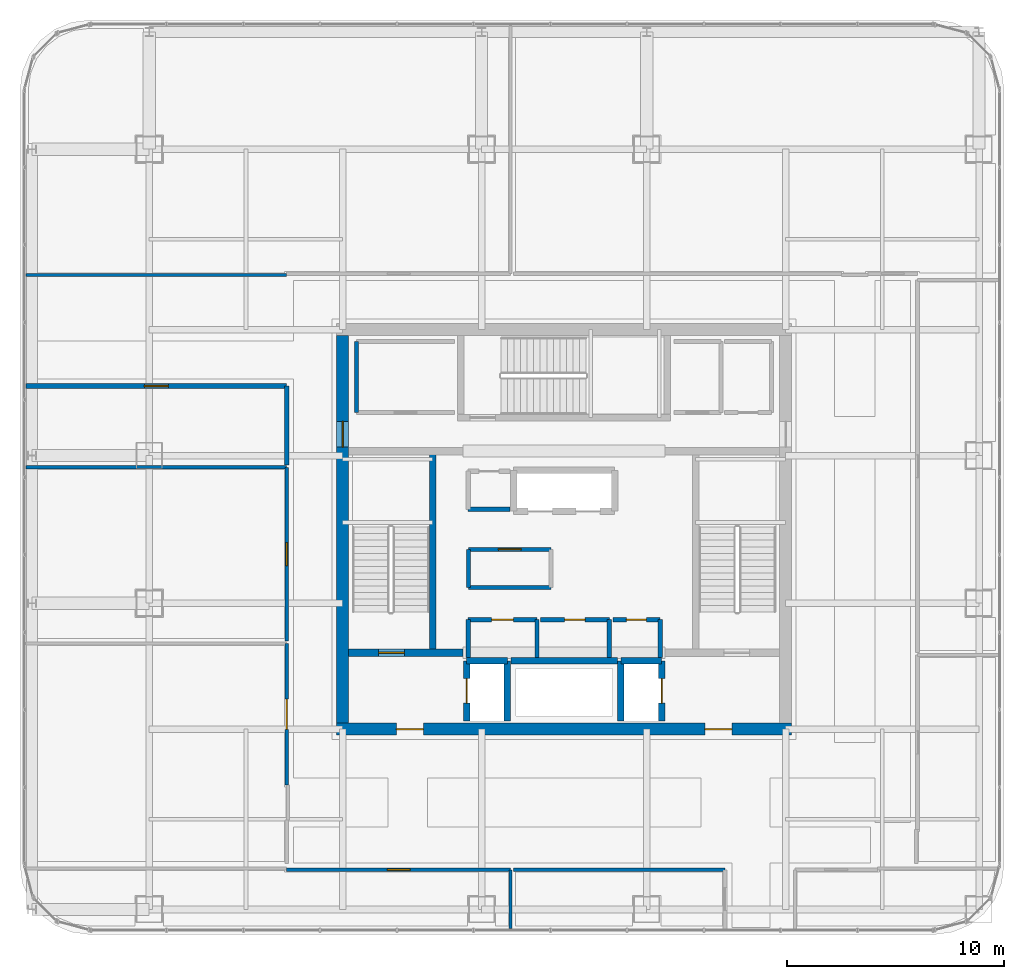
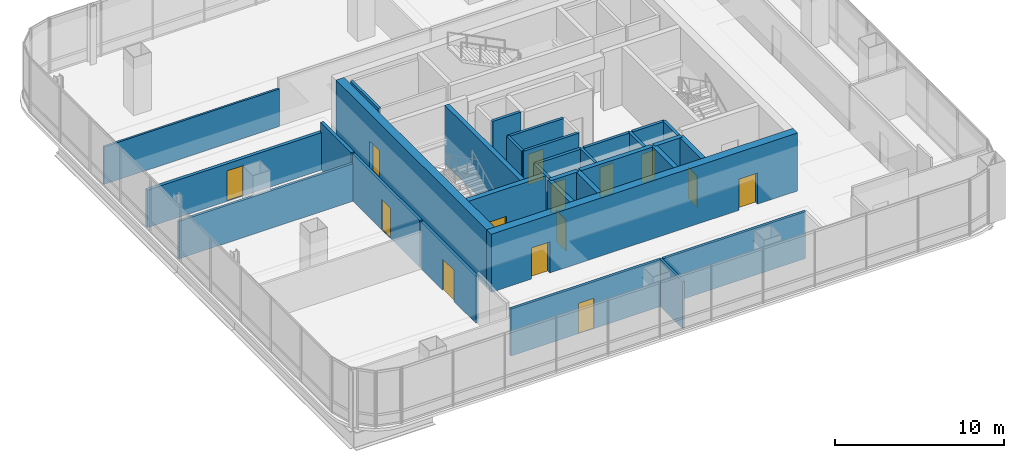
# One storey, part 34 of 41: 32 walls, 14 doors, 14 openings.
"""IFC4 building model written with IfcOpenShell, lengths in metres."""

from ifc_helpers import new_model, si_unit, direction, frame, frame_2d, origin, place, context, subcontext, project, spatial, rectangle, extrude, material, layer, layer_set, type_object, element, fill, save


model = new_model("IFC4")

# Units and contexts
model_context = context("Model", 3, precision=1e-05, world=origin(), true_north=direction((0.0, 1.0)))
body_context = subcontext(model_context, "Body", "Model", "MODEL_VIEW")
ifc_project = project(units=[si_unit("LENGTHUNIT", "METRE"), si_unit("AREAUNIT", "SQUARE_METRE"), si_unit("VOLUMEUNIT", "CUBIC_METRE"), si_unit("PLANEANGLEUNIT", "RADIAN"), si_unit("MASSUNIT", "GRAM", prefix="KILO")], contexts=[model_context])

# Site, building, storey
site_placement = place(None, origin())
site = spatial("IfcSite", under=ifc_project, at=site_placement, CompositionType="ELEMENT")
building_placement = place(site_placement, origin())
building = spatial("IfcBuilding", under=site, at=building_placement, Name="Punatoya Terracotta Tower", CompositionType="ELEMENT")
storey_placement = place(building_placement, frame((0.0, 0.0, 309.0)))
storey = spatial("IfcBuildingStorey", under=building, at=storey_placement, Name="L73", CompositionType="ELEMENT", Elevation=309.0)

# Wall, openings, doors
ifc_material_1 = material(Name="Concrete C50/60", Category="concrete")
ifc_layer_1 = layer(ifc_material_1, 0.550048828125)
ifc_layer_set_1 = layer_set([ifc_layer_1], Name="Concrete C50/60")
wall_type_1 = type_object("IfcWallType", Name="WL-COR-550", PredefinedType="SHEAR", material=ifc_layer_set_1)
wall_1_placement = place(storey_placement, frame((10.47509765625, -9.199951171875, 0.0), z_axis=(0.0, 0.0, 1.0), x_axis=(-1.0, 0.0, 0.0)))
wall_1 = element("IfcWall", 1, at=wall_1_placement, inside=storey, type_object=wall_type_1, Name="L73 Core Shear Wall S", PredefinedType="SHEAR", context=body_context, shape_type="SweptSolid", body=[
    extrude(rectangle(XDim=20.9501953125, YDim=0.550048828125, at=frame_2d((10.47509765625, 0.0))), origin(), (0.0, 0.0, 1.0), 4.199951171875),
])
opening_1_placement = place(wall_1_placement, frame((2.75, 0.0, 0.0)))
opening_1 = element("IfcOpeningElement", 2, at=opening_1_placement, cuts=wall_1, Name="Opening FD-L1", PredefinedType="OPENING", context=body_context, shape_type="SweptSolid", body=[
    extrude(rectangle(XDim=1.25, YDim=2.25, at=frame_2d((0.625, 1.125))), frame((0.0, 0.284912109375, 0.0), z_axis=(0.0, -1.0, 0.0), x_axis=(1.0, 0.0, 0.0)), (0.0, 0.0, 1.0), 0.570068359375),
])
opening_2_placement = place(wall_1_placement, frame((16.949951171875, 0.0, 0.0)))
opening_2 = element("IfcOpeningElement", 3, at=opening_2_placement, cuts=wall_1, Name="Opening FD-L1", PredefinedType="OPENING", context=body_context, shape_type="SweptSolid", body=[
    extrude(rectangle(XDim=1.25, YDim=2.25, at=frame_2d((0.625, 1.125))), frame((0.0, 0.284912109375, 0.0), z_axis=(0.0, -1.0, 0.0), x_axis=(1.0, 0.0, 0.0)), (0.0, 0.0, 1.0), 0.570068359375),
])
ifc_material_2 = material(Name="Galvanised Steel Smokeproof Fire Door", Category="steel")
door_type_1 = type_object("IfcDoorType", Name="DR-FFL-1250", OperationType="NOTDEFINED", PredefinedType="DOOR", material=ifc_material_2)
door_1_placement = place(opening_1_placement, origin())
door_1 = element("IfcDoor", 4, at=door_1_placement, inside=storey, type_object=door_type_1, Name="L73 East Firefighting Lobby Corridor Fire Door", OperationType="SINGLE_SWING_LEFT", OverallHeight=2.25, OverallWidth=1.25, PredefinedType="DOOR", context=body_context, shape_type="SweptSolid", body=[
    extrude(rectangle(XDim=1.25, YDim=2.25, at=frame_2d((0.625, 1.125))), frame((0.0, 0.02490234375, 0.0), z_axis=(0.0, -1.0, 0.0), x_axis=(1.0, 0.0, 0.0)), (0.0, 0.0, 1.0), 0.050048828125),
])
fill(opening_1, door_1)
door_2_placement = place(opening_2_placement, origin())
door_2 = element("IfcDoor", 5, at=door_2_placement, inside=storey, type_object=door_type_1, Name="L73 West Firefighting Lobby Corridor Fire Door", OperationType="SINGLE_SWING_RIGHT", OverallHeight=2.25, OverallWidth=1.25, PredefinedType="DOOR", context=body_context, shape_type="SweptSolid", body=[
    extrude(rectangle(XDim=1.25, YDim=2.25, at=frame_2d((0.625, 1.125))), frame((0.0, 0.02490234375, 0.0), z_axis=(0.0, -1.0, 0.0), x_axis=(1.0, 0.0, 0.0)), (0.0, 0.0, 1.0), 0.050048828125),
])
fill(opening_2, door_2)

# Wall, opening, door
wall_2_placement = place(storey_placement, frame((-10.199951171875, -8.925048828125, 0.0), z_axis=(0.0, 0.0, 1.0), x_axis=(0.0, 1.0, 0.0)))
wall_2 = element("IfcWall", 6, at=wall_2_placement, inside=storey, type_object=wall_type_1, Name="L73 Core Shear Wall W", PredefinedType="SHEAR", context=body_context, shape_type="SweptSolid", body=[
    extrude(rectangle(XDim=17.85009765625, YDim=0.550048828125, at=frame_2d((8.925048828125, 0.0))), origin(), (0.0, 0.0, 1.0), 4.199951171875),
])
opening_3_placement = place(wall_2_placement, frame((12.715087890625, 0.0, 0.0)))
opening_3 = element("IfcOpeningElement", 7, at=opening_3_placement, cuts=wall_2, Name="Opening SD-01", PredefinedType="OPENING", context=body_context, shape_type="SweptSolid", body=[
    extrude(rectangle(XDim=1.179931640625, YDim=2.199951171875, at=frame_2d((0.58984375, 1.10009765625))), frame((0.0, 0.284912109375, 0.0), z_axis=(0.0, -1.0, 0.0), x_axis=(1.0, 0.0, 0.0)), (0.0, 0.0, 1.0), 0.570068359375),
])
ifc_material_3 = material(Name="Galvanised Steel Pressurized Stair Fire Door", Category="steel")
door_type_2 = type_object("IfcDoorType", Name="DR-STR-1180", OperationType="NOTDEFINED", PredefinedType="DOOR", material=ifc_material_3)
door_3_placement = place(opening_3_placement, origin())
door_3 = element("IfcDoor", 8, at=door_3_placement, inside=storey, type_object=door_type_2, Name="L73 Central Lift Lobby West Fire Door", OperationType="SINGLE_SWING_LEFT", OverallHeight=2.199951171875, OverallWidth=1.179931640625, PredefinedType="DOOR", context=body_context, shape_type="SweptSolid", body=[
    extrude(rectangle(XDim=1.179931640625, YDim=2.199951171875, at=frame_2d((0.58984375, 1.10009765625))), frame((0.0, 0.02490234375, 0.0), z_axis=(0.0, -1.0, 0.0), x_axis=(1.0, 0.0, 0.0)), (0.0, 0.0, 1.0), 0.050048828125),
])
fill(opening_3, door_3)

ifc_material_4 = material(Name="Gypsum Fireboard + Steel Stud", Category="steel")
ifc_layer_2 = layer(ifc_material_4, 0.179931640625)
ifc_layer_set_2 = layer_set([ifc_layer_2], Name="Gypsum Fireboard + Steel Stud")
wall_type_2 = type_object("IfcWallType", Name="WL-CORR-180", PredefinedType="PARTITIONING", material=ifc_layer_set_2)
wall_3_placement = place(storey_placement, frame((-0.60009765625, -0.919921875, 0.0), z_axis=(0.0, 0.0, 1.0), x_axis=(-1.0, 0.0, 0.0)))
wall_3 = element("IfcWall", 9, at=wall_3_placement, inside=storey, type_object=wall_type_2, Name="L73 West Core Archive Office Partition 09", PredefinedType="PARTITIONING", context=body_context, shape_type="SweptSolid", body=[
    extrude(rectangle(XDim=3.7998046875, YDim=0.179931640625, at=frame_2d((1.89990234375, 0.0))), origin(), (0.0, 0.0, 1.0), 4.0),
])
opening_4_placement = place(wall_3_placement, frame((1.375, 0.0, 0.0)))
opening_4 = element("IfcOpeningElement", 10, at=opening_4_placement, cuts=wall_3, Name="Opening OD-01", PredefinedType="OPENING", context=body_context, shape_type="SweptSolid", body=[
    extrude(rectangle(XDim=1.050048828125, YDim=2.199951171875, at=frame_2d((0.52490234375, 1.10009765625))), frame((0.0, 0.099853515625, 0.0), z_axis=(0.0, -1.0, 0.0), x_axis=(1.0, 0.0, 0.0)), (0.0, 0.0, 1.0), 0.199951171875),
])
ifc_material_5 = material(Name="Bengal Teak Solid-Core Leaf")
door_type_3 = type_object("IfcDoorType", Name="DR-OFF-1050", OperationType="NOTDEFINED", PredefinedType="DOOR", material=ifc_material_5)
door_4_placement = place(opening_4_placement, origin())
door_4 = element("IfcDoor", 11, at=door_4_placement, inside=storey, type_object=door_type_3, Name="L73 West Archive Office Door", OperationType="SINGLE_SWING_RIGHT", OverallHeight=2.199951171875, OverallWidth=1.050048828125, PredefinedType="DOOR", context=body_context, shape_type="SweptSolid", body=[
    extrude(rectangle(XDim=1.050048828125, YDim=2.199951171875, at=frame_2d((0.52490234375, 1.10009765625))), frame((0.0, 0.02490234375, 0.0), z_axis=(0.0, -1.0, 0.0), x_axis=(1.0, 0.0, 0.0)), (0.0, 0.0, 1.0), 0.050048828125),
])
fill(opening_4, door_4)

# Walls
wall_4_placement = place(storey_placement, frame((-4.39990234375, -0.919921875, 0.0), z_axis=(0.0, 0.0, 1.0), x_axis=(0.0, -1.0, 0.0)))
element("IfcWall", 12, at=wall_4_placement, inside=storey, type_object=wall_type_2, Name="L73 West Core Archive Office Partition 10", PredefinedType="PARTITIONING", context=body_context, shape_type="SweptSolid", body=[
    extrude(rectangle(XDim=1.760009765625, YDim=0.179931640625, at=frame_2d((0.8798828125, 0.0))), origin(), (0.0, 0.0, 1.0), 4.0),
])
wall_5_placement = place(storey_placement, frame((-4.39990234375, -2.679931640625, 0.0), z_axis=(0.0, 0.0, 1.0), x_axis=(1.0, 0.0, 0.0)))
element("IfcWall", 13, at=wall_5_placement, inside=storey, type_object=wall_type_2, Name="L73 West Core Archive Office Partition 11", PredefinedType="PARTITIONING", context=body_context, shape_type="SweptSolid", body=[
    extrude(rectangle(XDim=3.7998046875, YDim=0.179931640625, at=frame_2d((1.89990234375, 0.0))), origin(), (0.0, 0.0, 1.0), 4.0),
])
wall_6_placement = place(storey_placement, frame((-9.550048828125, 8.64990234375, 0.0), z_axis=(0.0, 0.0, 1.0), x_axis=(0.0, -1.0, 0.0)))
element("IfcWall", 14, at=wall_6_placement, inside=storey, type_object=wall_type_2, Name="L73 West Core Records Office Partition 16", PredefinedType="PARTITIONING", context=body_context, shape_type="SweptSolid", body=[
    extrude(rectangle(XDim=3.27001953125, YDim=0.179931640625, at=frame_2d((1.635009765625, 0.0))), origin(), (0.0, 0.0, 1.0), 4.0),
])

# Wall, opening, door
wall_7_placement = place(storey_placement, frame((-12.77001953125, -15.669921875, 0.0), z_axis=(0.0, 0.0, 1.0), x_axis=(1.0, 0.0, 0.0)))
wall_7 = element("IfcWall", 15, at=wall_7_placement, inside=storey, type_object=wall_type_2, Name="L73 Open-Plan Computational Simulation Laboratory Partition 25", PredefinedType="PARTITIONING", context=body_context, shape_type="SweptSolid", body=[
    extrude(rectangle(XDim=10.31005859375, YDim=0.179931640625, at=frame_2d((5.155029296875, 0.0))), origin(), (0.0, 0.0, 1.0), 3.39404296875),
])
opening_5_placement = place(wall_7_placement, frame((4.6298828125, 0.0, 0.0)))
opening_5 = element("IfcOpeningElement", 16, at=opening_5_placement, cuts=wall_7, Name="Opening OD-01", PredefinedType="OPENING", context=body_context, shape_type="SweptSolid", body=[
    extrude(rectangle(XDim=1.050048828125, YDim=2.199951171875, at=frame_2d((0.52490234375, 1.10009765625))), frame((0.0, 0.099853515625, 0.0), z_axis=(0.0, -1.0, 0.0), x_axis=(1.0, 0.0, 0.0)), (0.0, 0.0, 1.0), 0.199951171875),
])
door_5_placement = place(opening_5_placement, origin())
door_5 = element("IfcDoor", 17, at=door_5_placement, inside=storey, type_object=door_type_3, Name="L73 Open-Plan Computational Simulation Laboratory Door", OperationType="SINGLE_SWING_LEFT", OverallHeight=2.199951171875, OverallWidth=1.050048828125, PredefinedType="DOOR", context=body_context, shape_type="SweptSolid", body=[
    extrude(rectangle(XDim=1.050048828125, YDim=2.199951171875, at=frame_2d((0.52490234375, 1.10009765625))), frame((0.0, 0.02490234375, 0.0), z_axis=(0.0, -1.0, 0.0), x_axis=(1.0, 0.0, 0.0)), (0.0, 0.0, 1.0), 0.050048828125),
])
fill(opening_5, door_5)

# Wall
wall_8_placement = place(storey_placement, frame((-2.340087890625, -15.669921875, 0.0), z_axis=(0.0, 0.0, 1.0), x_axis=(1.0, 0.0, 0.0)))
element("IfcWall", 18, at=wall_8_placement, inside=storey, type_object=wall_type_2, Name="L73 Open-Plan Cartography Reference Library Partition 28", PredefinedType="PARTITIONING", context=body_context, shape_type="SweptSolid", body=[
    extrude(rectangle(XDim=9.739990234375, YDim=0.179931640625, at=frame_2d((4.8701171875, 0.0))), origin(), (0.0, 0.0, 1.0), 3.39404296875),
])

# Wall, opening, door
wall_9_placement = place(storey_placement, frame((-12.77001953125, -5.25, 0.0), z_axis=(0.0, 0.0, 1.0), x_axis=(0.0, -1.0, 0.0)))
wall_9 = element("IfcWall", 19, at=wall_9_placement, inside=storey, type_object=wall_type_2, Name="L73 Technical Seminar Room Partition 36", PredefinedType="PARTITIONING", context=body_context, shape_type="SweptSolid", body=[
    extrude(rectangle(XDim=6.52001953125, YDim=0.179931640625, at=frame_2d((3.260009765625, 0.0))), origin(), (0.0, 0.0, 1.0), 3.39404296875),
])
opening_6_placement = place(wall_9_placement, frame((2.56005859375, 0.0, 0.0)))
opening_6 = element("IfcOpeningElement", 20, at=opening_6_placement, cuts=wall_9, Name="Opening BD-01", PredefinedType="OPENING", context=body_context, shape_type="SweptSolid", body=[
    extrude(rectangle(XDim=1.39990234375, YDim=2.25, at=frame_2d((0.699951171875, 1.125))), frame((0.0, 0.099853515625, 0.0), z_axis=(0.0, -1.0, 0.0), x_axis=(1.0, 0.0, 0.0)), (0.0, 0.0, 1.0), 0.199951171875),
])
ifc_material_6 = material(Name="Bengal Teak Acoustic Leaf")
door_type_4 = type_object("IfcDoorType", Name="DR-BRD-1400", OperationType="NOTDEFINED", PredefinedType="DOOR", material=ifc_material_6)
door_6_placement = place(opening_6_placement, origin())
door_6 = element("IfcDoor", 21, at=door_6_placement, inside=storey, type_object=door_type_4, Name="L73 Technical Seminar Room Door", OperationType="SINGLE_SWING_LEFT", OverallHeight=2.25, OverallWidth=1.39990234375, PredefinedType="DOOR", context=body_context, shape_type="SweptSolid", body=[
    extrude(rectangle(XDim=1.39990234375, YDim=2.25, at=frame_2d((0.699951171875, 1.125))), frame((0.0, 0.02490234375, 0.0), z_axis=(0.0, -1.0, 0.0), x_axis=(1.0, 0.0, 0.0)), (0.0, 0.0, 1.0), 0.050048828125),
])
fill(opening_6, door_6)

wall_10_placement = place(storey_placement, frame((-12.77001953125, 2.85009765625, 0.0), z_axis=(0.0, 0.0, 1.0), x_axis=(0.0, -1.0, 0.0)))
wall_10 = element("IfcWall", 22, at=wall_10_placement, inside=storey, type_object=wall_type_2, Name="L73 Open-Plan Laboratory Staff Pantry Partition 40", PredefinedType="PARTITIONING", context=body_context, shape_type="SweptSolid", body=[
    extrude(rectangle(XDim=7.97998046875, YDim=0.179931640625, at=frame_2d((3.989990234375, 0.0))), origin(), (0.0, 0.0, 1.0), 3.39404296875),
])
opening_7_placement = place(wall_10_placement, frame((3.465087890625, 0.0, 0.0)))
opening_7 = element("IfcOpeningElement", 23, at=opening_7_placement, cuts=wall_10, Name="Opening OD-01", PredefinedType="OPENING", context=body_context, shape_type="SweptSolid", body=[
    extrude(rectangle(XDim=1.050048828125, YDim=2.199951171875, at=frame_2d((0.52490234375, 1.10009765625))), frame((0.0, 0.099853515625, 0.0), z_axis=(0.0, -1.0, 0.0), x_axis=(1.0, 0.0, 0.0)), (0.0, 0.0, 1.0), 0.199951171875),
])
door_7_placement = place(opening_7_placement, origin())
door_7 = element("IfcDoor", 24, at=door_7_placement, inside=storey, type_object=door_type_3, Name="L73 Open-Plan Laboratory Staff Pantry Door", OperationType="SINGLE_SWING_RIGHT", OverallHeight=2.199951171875, OverallWidth=1.050048828125, PredefinedType="DOOR", context=body_context, shape_type="SweptSolid", body=[
    extrude(rectangle(XDim=1.050048828125, YDim=2.199951171875, at=frame_2d((0.52490234375, 1.10009765625))), frame((0.0, 0.02490234375, 0.0), z_axis=(0.0, -1.0, 0.0), x_axis=(1.0, 0.0, 0.0)), (0.0, 0.0, 1.0), 0.050048828125),
])
fill(opening_7, door_7)

ifc_material_7 = material(Name="Concrete C40/50", Category="concrete")
ifc_layer_3 = layer(ifc_material_7, 0.219970703125)
ifc_layer_set_3 = layer_set([ifc_layer_3], Name="Concrete C40/50")
wall_type_3 = type_object("IfcWallType", Name="WL-FIR-220", PredefinedType="SOLIDWALL", material=ifc_layer_set_3)
wall_11_placement = place(storey_placement, frame((-24.77001953125, 6.60009765625, 0.0), z_axis=(0.0, 0.0, 1.0), x_axis=(1.0, 0.0, 0.0)))
wall_11 = element("IfcWall", 25, at=wall_11_placement, inside=storey, type_object=wall_type_3, Name="L73 Open-Plan Geospatial Data Archive Partition 43", PredefinedType="SOLIDWALL", context=body_context, shape_type="SweptSolid", body=[
    extrude(rectangle(XDim=12.0, YDim=0.219970703125, at=frame_2d((6.0, 0.0))), origin(), (0.0, 0.0, 1.0), 2.714111328125),
])
opening_8_placement = place(wall_11_placement, frame((5.449951171875, 0.0, 0.0)))
opening_8 = element("IfcOpeningElement", 26, at=opening_8_placement, cuts=wall_11, Name="Opening FD-P1", PredefinedType="OPENING", context=body_context, shape_type="SweptSolid", body=[
    extrude(rectangle(XDim=1.10009765625, YDim=2.199951171875, at=frame_2d((0.550048828125, 1.10009765625))), frame((0.0, 0.119873046875, 0.0), z_axis=(0.0, -1.0, 0.0), x_axis=(1.0, 0.0, 0.0)), (0.0, 0.0, 1.0), 0.239990234375),
])
ifc_material_8 = material(Name="Galvanised Steel Plant Fire Door", Category="steel")
door_type_5 = type_object("IfcDoorType", Name="DR-PLT-1100", OperationType="NOTDEFINED", PredefinedType="DOOR", material=ifc_material_8)
door_8_placement = place(opening_8_placement, origin())
door_8 = element("IfcDoor", 27, at=door_8_placement, inside=storey, type_object=door_type_5, Name="L73 Open-Plan Geospatial Data Archive Fire Door", OperationType="SINGLE_SWING_RIGHT", OverallHeight=2.199951171875, OverallWidth=1.10009765625, PredefinedType="DOOR", context=body_context, shape_type="SweptSolid", body=[
    extrude(rectangle(XDim=1.10009765625, YDim=2.199951171875, at=frame_2d((0.550048828125, 1.10009765625))), frame((0.0, 0.02490234375, 0.0), z_axis=(0.0, -1.0, 0.0), x_axis=(1.0, 0.0, 0.0)), (0.0, 0.0, 1.0), 0.050048828125),
])
fill(opening_8, door_8)

# Walls
wall_12_placement = place(storey_placement, frame((-12.77001953125, 6.60009765625, 0.0), z_axis=(0.0, 0.0, 1.0), x_axis=(0.0, -1.0, 0.0)))
element("IfcWall", 28, at=wall_12_placement, inside=storey, type_object=wall_type_3, Name="L73 Open-Plan Geospatial Data Archive Partition 44", PredefinedType="SOLIDWALL", context=body_context, shape_type="SweptSolid", body=[
    extrude(rectangle(XDim=3.630126953125, YDim=0.219970703125, at=frame_2d((1.81494140625, 0.0))), origin(), (0.0, 0.0, 1.0), 3.39404296875),
])
ifc_layer_4 = layer(ifc_material_7, 0.199951171875)
ifc_layer_set_4 = layer_set([ifc_layer_4], Name="Concrete C40/50")
wall_type_4 = type_object("IfcWallType", Name="WL-INT-200", PredefinedType="SOLIDWALL", material=ifc_layer_set_4)
wall_13_placement = place(storey_placement, frame((-1.25, -5.89990234375, 0.0), z_axis=(0.0, 0.0, 1.0), x_axis=(0.0, 1.0, 0.0)))
element("IfcWall", 29, at=wall_13_placement, inside=storey, type_object=wall_type_4, Name="L73 Accessible Universal Washroom Partition 01", PredefinedType="SOLIDWALL", context=body_context, shape_type="SweptSolid", body=[
    extrude(rectangle(XDim=1.739990234375, YDim=0.199951171875, at=frame_2d((0.8701171875, 0.0))), origin(), (0.0, 0.0, 1.0), 4.0),
])

# Wall, opening, door
wall_14_placement = place(storey_placement, frame((-1.25, -4.159912109375, 0.0), z_axis=(0.0, 0.0, 1.0), x_axis=(-1.0, 0.0, 0.0)))
wall_14 = element("IfcWall", 30, at=wall_14_placement, inside=storey, type_object=wall_type_4, Name="L73 Accessible Universal Washroom Partition 02", PredefinedType="SOLIDWALL", context=body_context, shape_type="SweptSolid", body=[
    extrude(rectangle(XDim=3.169921875, YDim=0.199951171875, at=frame_2d((1.5849609375, 0.0))), origin(), (0.0, 0.0, 1.0), 4.0),
])
opening_9_placement = place(wall_14_placement, frame((1.0849609375, 0.0, 0.0)))
opening_9 = element("IfcOpeningElement", 31, at=opening_9_placement, cuts=wall_14, Name="Opening AWD-1", PredefinedType="OPENING", context=body_context, shape_type="SweptSolid", body=[
    extrude(rectangle(XDim=1.0, YDim=2.14990234375, at=frame_2d((0.5, 1.074951171875))), frame((0.0, 0.10986328125, 0.0), z_axis=(0.0, -1.0, 0.0), x_axis=(1.0, 0.0, 0.0)), (0.0, 0.0, 1.0), 0.219970703125),
])
ifc_material_9 = material(Name="Bengal Teak Accessible WC Leaf")
door_type_6 = type_object("IfcDoorType", Name="DR-ACC-1000", OperationType="NOTDEFINED", PredefinedType="DOOR", material=ifc_material_9)
door_9_placement = place(opening_9_placement, origin())
door_9 = element("IfcDoor", 32, at=door_9_placement, inside=storey, type_object=door_type_6, Name="L73 Accessible Universal Washroom Door", OperationType="SINGLE_SWING_LEFT", OverallHeight=2.14990234375, OverallWidth=1.0, PredefinedType="DOOR", context=body_context, shape_type="SweptSolid", body=[
    extrude(rectangle(XDim=1.0, YDim=2.14990234375, at=frame_2d((0.5, 1.074951171875))), frame((0.0, 0.02490234375, 0.0), z_axis=(0.0, -1.0, 0.0), x_axis=(1.0, 0.0, 0.0)), (0.0, 0.0, 1.0), 0.050048828125),
])
fill(opening_9, door_9)

# Walls
for number, where, z_axis, x_axis, name in (
    (33, (-4.419921875, -4.159912109375, 0.0), (0.0, 0.0, 1.0), (0.0, -1.0, 0.0), "L73 Accessible Universal Washroom Partition 03"),
    (34, (2.080078125, -5.89990234375, 0.0), (0.0, 0.0, 1.0), (0.0, 1.0, 0.0), "L73 All-Gender Universal Washroom Partition 04"),
):
    element("IfcWall", number, at=place(storey_placement, frame(where, z_axis=z_axis, x_axis=x_axis)), inside=storey, type_object=wall_type_4, Name=name, PredefinedType="SOLIDWALL", context=body_context, shape_type="SweptSolid", body=[
        extrude(rectangle(XDim=1.739990234375, YDim=0.199951171875, at=frame_2d((0.8701171875, 0.0))), origin(), (0.0, 0.0, 1.0), 4.0),
    ])

# Wall, opening, door
wall_15_placement = place(storey_placement, frame((2.080078125, -4.159912109375, 0.0), z_axis=(0.0, 0.0, 1.0), x_axis=(-1.0, 0.0, 0.0)))
wall_15 = element("IfcWall", 35, at=wall_15_placement, inside=storey, type_object=wall_type_4, Name="L73 All-Gender Universal Washroom Partition 05", PredefinedType="SOLIDWALL", context=body_context, shape_type="SweptSolid", body=[
    extrude(rectangle(XDim=3.170166015625, YDim=0.199951171875, at=frame_2d((1.5849609375, 0.0))), origin(), (0.0, 0.0, 1.0), 4.0),
])
opening_10_placement = place(wall_15_placement, frame((1.110107421875, 0.0, 0.0)))
opening_10 = element("IfcOpeningElement", 36, at=opening_10_placement, cuts=wall_15, Name="Opening WD-01", PredefinedType="OPENING", context=body_context, shape_type="SweptSolid", body=[
    extrude(rectangle(XDim=0.949951171875, YDim=2.14990234375, at=frame_2d((0.47509765625, 1.074951171875))), frame((0.0, 0.10986328125, 0.0), z_axis=(0.0, -1.0, 0.0), x_axis=(1.0, 0.0, 0.0)), (0.0, 0.0, 1.0), 0.219970703125),
])
ifc_material_10 = material(Name="Moisture-Resistant Laminate Timber Leaf", Category="wood")
door_type_7 = type_object("IfcDoorType", Name="DR-WC-950", OperationType="NOTDEFINED", PredefinedType="DOOR", material=ifc_material_10)
door_10_placement = place(opening_10_placement, origin())
door_10 = element("IfcDoor", 37, at=door_10_placement, inside=storey, type_object=door_type_7, Name="L73 All-Gender Universal Washroom Door", OperationType="SINGLE_SWING_RIGHT", OverallHeight=2.14990234375, OverallWidth=0.949951171875, PredefinedType="DOOR", context=body_context, shape_type="SweptSolid", body=[
    extrude(rectangle(XDim=0.949951171875, YDim=2.14990234375, at=frame_2d((0.47509765625, 1.074951171875))), frame((0.0, 0.02490234375, 0.0), z_axis=(0.0, -1.0, 0.0), x_axis=(1.0, 0.0, 0.0)), (0.0, 0.0, 1.0), 0.050048828125),
])
fill(opening_10, door_10)

# Wall
wall_16_placement = place(storey_placement, frame((4.419921875, -5.89990234375, 0.0), z_axis=(0.0, 0.0, 1.0), x_axis=(0.0, 1.0, 0.0)))
element("IfcWall", 38, at=wall_16_placement, inside=storey, type_object=wall_type_4, Name="L73 Core Electrical Switchgear Room Partition 06", PredefinedType="SOLIDWALL", context=body_context, shape_type="SweptSolid", body=[
    extrude(rectangle(XDim=1.739990234375, YDim=0.199951171875, at=frame_2d((0.8701171875, 0.0))), origin(), (0.0, 0.0, 1.0), 4.0),
])

# Wall, opening, door
wall_17_placement = place(storey_placement, frame((4.419921875, -4.159912109375, 0.0), z_axis=(0.0, 0.0, 1.0), x_axis=(-1.0, 0.0, 0.0)))
wall_17 = element("IfcWall", 39, at=wall_17_placement, inside=storey, type_object=wall_type_4, Name="L73 Core Electrical Switchgear Room Partition 07", PredefinedType="SOLIDWALL", context=body_context, shape_type="SweptSolid", body=[
    extrude(rectangle(XDim=2.179931640625, YDim=0.199951171875, at=frame_2d((1.08984375, 0.0))), origin(), (0.0, 0.0, 1.0), 4.0),
])
opening_11_placement = place(wall_17_placement, frame((0.6298828125, 0.0, 0.0)))
opening_11 = element("IfcOpeningElement", 40, at=opening_11_placement, cuts=wall_17, Name="Opening FD-R1", PredefinedType="OPENING", context=body_context, shape_type="SweptSolid", body=[
    extrude(rectangle(XDim=0.919921875, YDim=2.10009765625, at=frame_2d((0.4599609375, 1.050048828125))), frame((0.0, 0.10986328125, 0.0), z_axis=(0.0, -1.0, 0.0), x_axis=(1.0, 0.0, 0.0)), (0.0, 0.0, 1.0), 0.219970703125),
])
ifc_material_11 = material(Name="Galvanised Steel Riser Fire Access Door", Category="steel")
door_type_8 = type_object("IfcDoorType", Name="DR-RSR-920", OperationType="NOTDEFINED", PredefinedType="DOOR", material=ifc_material_11)
door_11_placement = place(opening_11_placement, origin())
door_11 = element("IfcDoor", 41, at=door_11_placement, inside=storey, type_object=door_type_8, Name="L73 Core Electrical Switchgear Room Fire Door", OperationType="SINGLE_SWING_LEFT", OverallHeight=2.10009765625, OverallWidth=0.919921875, PredefinedType="DOOR", context=body_context, shape_type="SweptSolid", body=[
    extrude(rectangle(XDim=0.919921875, YDim=2.10009765625, at=frame_2d((0.4599609375, 1.050048828125))), frame((0.0, 0.02490234375, 0.0), z_axis=(0.0, -1.0, 0.0), x_axis=(1.0, 0.0, 0.0)), (0.0, 0.0, 1.0), 0.050048828125),
])
fill(opening_11, door_11)

# Walls
wall_18_placement = place(storey_placement, frame((-4.419921875, 0.919921875, 0.0), z_axis=(0.0, 0.0, 1.0), x_axis=(1.0, 0.0, 0.0)))
element("IfcWall", 42, at=wall_18_placement, inside=storey, type_object=wall_type_4, Name="L73 Core Security Equipment Closet Partition 14", PredefinedType="SOLIDWALL", context=body_context, shape_type="SweptSolid", body=[
    extrude(rectangle(XDim=1.919921875, YDim=0.199951171875, at=frame_2d((0.9599609375, 0.0))), origin(), (0.0, 0.0, 1.0), 4.0),
])
ifc_material_12 = material(Name="Acoustic Gypsum + Steel Stud", Category="steel")
ifc_layer_5 = layer(ifc_material_12, 0.139892578125)
ifc_layer_set_5 = layer_set([ifc_layer_5], Name="Acoustic Gypsum + Steel Stud")
wall_type_5 = type_object("IfcWallType", Name="WL-OFF-140", PredefinedType="PARTITIONING", material=ifc_layer_set_5)
wall_19_placement = place(storey_placement, frame((-2.4599609375, -15.669921875, 0.0), z_axis=(0.0, 0.0, 1.0), x_axis=(0.0, -1.0, 0.0)))
element("IfcWall", 43, at=wall_19_placement, inside=storey, type_object=wall_type_5, Name="L73 Open-Plan Computational Simulation Laboratory Partition 26", PredefinedType="PARTITIONING", context=body_context, shape_type="SweptSolid", body=[
    extrude(rectangle(XDim=2.7001953125, YDim=0.139892578125, at=frame_2d((1.35009765625, 0.0))), origin(), (0.0, 0.0, 1.0), 3.39404296875),
])
wall_20_placement = place(storey_placement, frame((-12.77001953125, 11.7099609375, 0.0), z_axis=(0.0, 0.0, 1.0), x_axis=(-1.0, 0.0, 0.0)))
element("IfcWall", 44, at=wall_20_placement, inside=storey, type_object=wall_type_5, Name="L73 Hydrology Modelling Laboratory Partition 47", PredefinedType="PARTITIONING", context=body_context, shape_type="SweptSolid", body=[
    extrude(rectangle(XDim=12.0, YDim=0.139892578125, at=frame_2d((6.0, 0.0))), origin(), (0.0, 0.0, 1.0), 2.714111328125),
])
ifc_layer_6 = layer(ifc_material_7, 0.300048828125)
ifc_layer_set_6 = layer_set([ifc_layer_6], Name="Concrete C40/50")
wall_type_6 = type_object("IfcWallType", Name="WL-SHF-300", PredefinedType="SOLIDWALL", material=ifc_layer_set_6)
wall_21_placement = place(storey_placement, frame((-6.050048828125, -5.5, 0.0), z_axis=(0.0, 0.0, 1.0), x_axis=(0.0, 1.0, 0.0)))
element("IfcWall", 45, at=wall_21_placement, inside=storey, type_object=wall_type_6, Name="L73 Structural Stair Shaft Wall SW-ST1-E", PredefinedType="SOLIDWALL", context=body_context, shape_type="SweptSolid", body=[
    extrude(rectangle(XDim=8.949951171875, YDim=0.300048828125, at=frame_2d((4.47509765625, 0.0))), origin(), (0.0, 0.0, 1.0), 4.199951171875),
])

# Wall, opening, door
wall_22_placement = place(storey_placement, frame((-4.489990234375, -8.820068359375, 0.0), z_axis=(0.0, 0.0, 1.0), x_axis=(0.0, 1.0, 0.0)))
wall_22 = element("IfcWall", 46, at=wall_22_placement, inside=storey, type_object=wall_type_6, Name="L73 FFL-1 Front Hoistway Wall", PredefinedType="SOLIDWALL", context=body_context, shape_type="SweptSolid", body=[
    extrude(rectangle(XDim=2.77001953125, YDim=0.300048828125, at=frame_2d((1.385009765625, 0.0))), origin(), (0.0, 0.0, 1.0), 4.0),
])
opening_12_placement = place(wall_22_placement, frame((0.824951171875, 0.0, 0.0)))
opening_12 = element("IfcOpeningElement", 47, at=opening_12_placement, cuts=wall_22, Name="Opening LD-02", PredefinedType="OPENING", context=body_context, shape_type="SweptSolid", body=[
    extrude(rectangle(XDim=1.1201171875, YDim=2.25, at=frame_2d((0.56005859375, 1.125))), frame((0.0, 0.159912109375, 0.0), z_axis=(0.0, -1.0, 0.0), x_axis=(1.0, 0.0, 0.0)), (0.0, 0.0, 1.0), 0.320068359375),
])
ifc_material_13 = material(Name="Stainless Steel Lift Landing Door", Category="steel")
door_type_9 = type_object("IfcDoorType", Name="DR-LND-1120", OperationType="NOTDEFINED", PredefinedType="DOOR", material=ifc_material_13)
door_12_placement = place(opening_12_placement, origin())
door_12 = element("IfcDoor", 48, at=door_12_placement, inside=storey, type_object=door_type_9, Name="L73 Firefighting Lift FFL-1 Sliding Landing Door", OperationType="SLIDING_TO_LEFT", OverallHeight=2.25, OverallWidth=1.1201171875, PredefinedType="DOOR", context=body_context, shape_type="SweptSolid", body=[
    extrude(rectangle(XDim=1.1201171875, YDim=2.25, at=frame_2d((0.56005859375, 1.125))), frame((0.0, 0.02490234375, 0.0), z_axis=(0.0, -1.0, 0.0), x_axis=(1.0, 0.0, 0.0)), (0.0, 0.0, 1.0), 0.050048828125),
])
fill(opening_12, door_12)

# Walls
wall_23_placement = place(storey_placement, frame((-2.610107421875, -8.820068359375, 0.0), z_axis=(0.0, 0.0, 1.0), x_axis=(0.0, 1.0, 0.0)))
element("IfcWall", 49, at=wall_23_placement, inside=storey, type_object=wall_type_6, Name="L73 FFL-1 Rear Hoistway Wall", PredefinedType="SOLIDWALL", context=body_context, shape_type="SweptSolid", body=[
    extrude(rectangle(XDim=2.77001953125, YDim=0.300048828125, at=frame_2d((1.385009765625, 0.0))), origin(), (0.0, 0.0, 1.0), 4.0),
])
wall_24_placement = place(storey_placement, frame((-4.489990234375, -6.050048828125, 0.0), z_axis=(0.0, 0.0, 1.0), x_axis=(1.0, 0.0, 0.0)))
element("IfcWall", 50, at=wall_24_placement, inside=storey, type_object=wall_type_6, Name="L73 FFL-1 North Hoistway Wall", PredefinedType="SOLIDWALL", context=body_context, shape_type="SweptSolid", body=[
    extrude(rectangle(XDim=1.8798828125, YDim=0.300048828125, at=frame_2d((0.93994140625, 0.0))), origin(), (0.0, 0.0, 1.0), 4.0),
])

# Wall, opening, door
wall_25_placement = place(storey_placement, frame((4.489990234375, -8.820068359375, 0.0), z_axis=(0.0, 0.0, 1.0), x_axis=(0.0, 1.0, 0.0)))
wall_25 = element("IfcWall", 51, at=wall_25_placement, inside=storey, type_object=wall_type_6, Name="L73 FFL-2 Front Hoistway Wall", PredefinedType="SOLIDWALL", context=body_context, shape_type="SweptSolid", body=[
    extrude(rectangle(XDim=2.77001953125, YDim=0.300048828125, at=frame_2d((1.385009765625, 0.0))), origin(), (0.0, 0.0, 1.0), 4.0),
])
opening_13_placement = place(wall_25_placement, frame((0.824951171875, 0.0, 0.0)))
opening_13 = element("IfcOpeningElement", 52, at=opening_13_placement, cuts=wall_25, Name="Opening LD-02", PredefinedType="OPENING", context=body_context, shape_type="SweptSolid", body=[
    extrude(rectangle(XDim=1.1201171875, YDim=2.25, at=frame_2d((0.56005859375, 1.125))), frame((0.0, 0.159912109375, 0.0), z_axis=(0.0, -1.0, 0.0), x_axis=(1.0, 0.0, 0.0)), (0.0, 0.0, 1.0), 0.320068359375),
])
door_13_placement = place(opening_13_placement, origin())
door_13 = element("IfcDoor", 53, at=door_13_placement, inside=storey, type_object=door_type_9, Name="L73 Firefighting Lift FFL-2 Sliding Landing Door", OperationType="SLIDING_TO_RIGHT", OverallHeight=2.25, OverallWidth=1.1201171875, PredefinedType="DOOR", context=body_context, shape_type="SweptSolid", body=[
    extrude(rectangle(XDim=1.1201171875, YDim=2.25, at=frame_2d((0.56005859375, 1.125))), frame((0.0, 0.02490234375, 0.0), z_axis=(0.0, -1.0, 0.0), x_axis=(1.0, 0.0, 0.0)), (0.0, 0.0, 1.0), 0.050048828125),
])
fill(opening_13, door_13)

# Walls
wall_26_placement = place(storey_placement, frame((2.610107421875, -8.820068359375, 0.0), z_axis=(0.0, 0.0, 1.0), x_axis=(0.0, 1.0, 0.0)))
element("IfcWall", 54, at=wall_26_placement, inside=storey, type_object=wall_type_6, Name="L73 FFL-2 Rear Hoistway Wall", PredefinedType="SOLIDWALL", context=body_context, shape_type="SweptSolid", body=[
    extrude(rectangle(XDim=2.77001953125, YDim=0.300048828125, at=frame_2d((1.385009765625, 0.0))), origin(), (0.0, 0.0, 1.0), 4.0),
])
wall_27_placement = place(storey_placement, frame((2.610107421875, -6.050048828125, 0.0), z_axis=(0.0, 0.0, 1.0), x_axis=(1.0, 0.0, 0.0)))
element("IfcWall", 55, at=wall_27_placement, inside=storey, type_object=wall_type_6, Name="L73 FFL-2 North Hoistway Wall", PredefinedType="SOLIDWALL", context=body_context, shape_type="SweptSolid", body=[
    extrude(rectangle(XDim=1.8798828125, YDim=0.300048828125, at=frame_2d((0.93994140625, 0.0))), origin(), (0.0, 0.0, 1.0), 4.0),
])
wall_28_placement = place(storey_placement, frame((-2.449951171875, -6.050048828125, 0.0), z_axis=(0.0, 0.0, 1.0), x_axis=(1.0, 0.0, 0.0)))
element("IfcWall", 56, at=wall_28_placement, inside=storey, type_object=wall_type_6, Name="L73 Observation Shuttle Rear Hoistway Wall", PredefinedType="SOLIDWALL", context=body_context, shape_type="SweptSolid", body=[
    extrude(rectangle(XDim=4.89990234375, YDim=0.300048828125, at=frame_2d((2.449951171875, 0.0))), origin(), (0.0, 0.0, 1.0), 4.0),
])

# Wall, opening, door
ifc_layer_7 = layer(ifc_material_1, 0.35009765625)
ifc_layer_set_7 = layer_set([ifc_layer_7], Name="Concrete C50/60")
wall_type_7 = type_object("IfcWallType", Name="WL-SHF-350", PredefinedType="SOLIDWALL", material=ifc_layer_set_7)
wall_29_placement = place(storey_placement, frame((-9.925048828125, -5.679931640625, 0.0), z_axis=(0.0, 0.0, 1.0), x_axis=(1.0, 0.0, 0.0)))
wall_29 = element("IfcWall", 57, at=wall_29_placement, inside=storey, type_object=wall_type_7, Name="L73 Core Web Wall CSW-L", PredefinedType="SOLIDWALL", context=body_context, shape_type="SweptSolid", body=[
    extrude(rectangle(XDim=5.275146484375, YDim=0.35009765625, at=frame_2d((2.6376953125, 0.0))), origin(), (0.0, 0.0, 1.0), 4.199951171875),
])
opening_14_placement = place(wall_29_placement, frame((1.385009765625, 0.0, 0.0)))
opening_14 = element("IfcOpeningElement", 58, at=opening_14_placement, cuts=wall_29, Name="Opening SD-01", PredefinedType="OPENING", context=body_context, shape_type="SweptSolid", body=[
    extrude(rectangle(XDim=1.179931640625, YDim=2.199951171875, at=frame_2d((0.58984375, 1.10009765625))), frame((0.0, 0.18505859375, 0.0), z_axis=(0.0, -1.0, 0.0), x_axis=(1.0, 0.0, 0.0)), (0.0, 0.0, 1.0), 0.3701171875),
])
door_14_placement = place(opening_14_placement, origin())
door_14 = element("IfcDoor", 59, at=door_14_placement, inside=storey, type_object=door_type_2, Name="L73 Stair ST-1 Smokeproof Lobby Fire Door", OperationType="SINGLE_SWING_LEFT", OverallHeight=2.199951171875, OverallWidth=1.179931640625, PredefinedType="DOOR", context=body_context, shape_type="SweptSolid", body=[
    extrude(rectangle(XDim=1.179931640625, YDim=2.199951171875, at=frame_2d((0.58984375, 1.10009765625))), frame((0.0, 0.02490234375, 0.0), z_axis=(0.0, -1.0, 0.0), x_axis=(1.0, 0.0, 0.0)), (0.0, 0.0, 1.0), 0.050048828125),
])
fill(opening_14, door_14)

# Wall
ifc_material_14 = material(Name="Masonry Blockwork + Ceramic Tile", Category="masonry")
ifc_layer_8 = layer(ifc_material_14, 0.159912109375)
ifc_layer_set_8 = layer_set([ifc_layer_8], Name="Masonry Blockwork + Ceramic Tile")
wall_type_8 = type_object("IfcWallType", Name="WL-WET-160", PredefinedType="PARTITIONING", material=ifc_layer_set_8)
wall_30_placement = place(storey_placement, frame((-24.77001953125, 2.85009765625, 0.0), z_axis=(0.0, 0.0, 1.0), x_axis=(1.0, 0.0, 0.0)))
element("IfcWall", 60, at=wall_30_placement, inside=storey, type_object=wall_type_8, Name="L73 Open-Plan Laboratory Staff Pantry Partition 39", PredefinedType="PARTITIONING", context=body_context, shape_type="SweptSolid", body=[
    extrude(rectangle(XDim=12.0, YDim=0.159912109375, at=frame_2d((6.0, 0.0))), origin(), (0.0, 0.0, 1.0), 2.714111328125),
])

save(model, "model.ifc")
